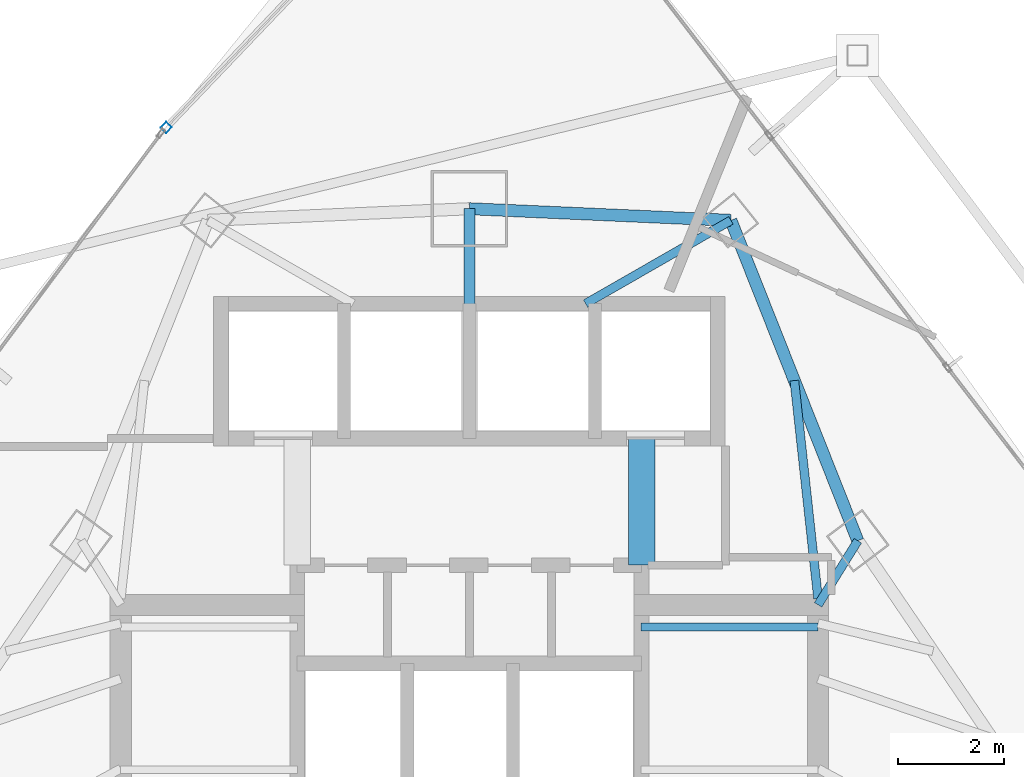
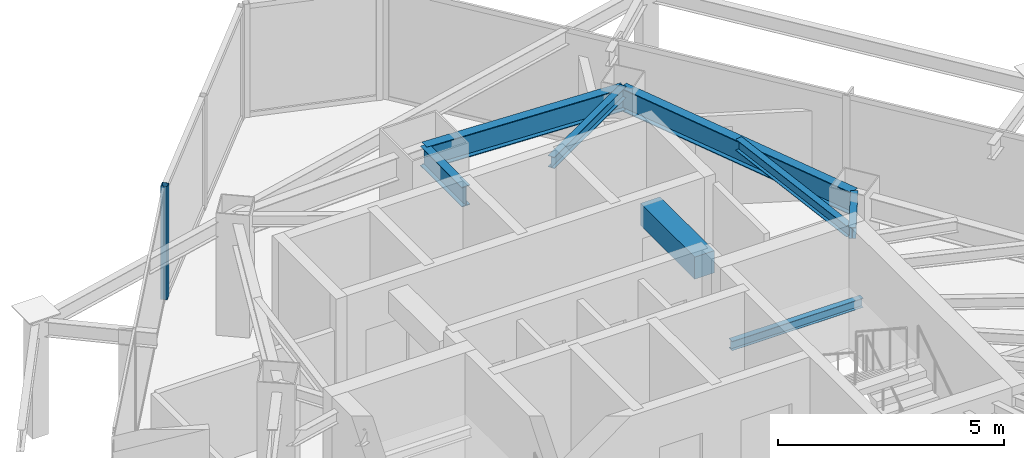
# One storey, part 21 of 31: 8 beams, 1 member, 1 element without a shape of its own.
"""IFC4 building model written with IfcOpenShell, lengths in metres."""

from ifc_helpers import new_model, si_unit, direction, frame, origin, origin_2d, place, context, subcontext, project, spatial, rectangle, hollow_rectangle, i_section, extrude, material, layer, layer_set, material_profile, profile_set, type_object, element, aggregate, save


model = new_model("IFC4")

# Units and contexts
model_context = context("Model", 3, precision=1e-05, world=origin(), true_north=direction((0.0, 1.0)))
body_context = subcontext(model_context, "Body", "Model", "MODEL_VIEW")
ifc_project = project(units=[si_unit("LENGTHUNIT", "METRE"), si_unit("AREAUNIT", "SQUARE_METRE"), si_unit("VOLUMEUNIT", "CUBIC_METRE"), si_unit("PLANEANGLEUNIT", "RADIAN"), si_unit("MASSUNIT", "GRAM", prefix="KILO")], contexts=[model_context])

# Site, building, storey
site_placement = place(None, origin())
site = spatial("IfcSite", under=ifc_project, at=site_placement, CompositionType="ELEMENT")
building_placement = place(site_placement, origin())
building = spatial("IfcBuilding", under=site, at=building_placement, Name="Orvanel Arch Residences", CompositionType="ELEMENT")
storey_placement = place(building_placement, frame((0.0, 0.0, 157.25)))
storey = spatial("IfcBuildingStorey", under=building, at=storey_placement, Name="L44", CompositionType="ELEMENT", Elevation=157.25)

# Beams
ifc_material_1 = material(Name="Structural steel AS/NZS 3679.1 Grade 300 (300 MPa)", Category="steel")
ifc_material_profile_1 = material_profile(ifc_material_1, i_section(OverallWidth=0.208984375, OverallDepth=0.532958984375, WebThickness=0.01025390625, FlangeThickness=0.015625, at=origin_2d()), Name="530UB92.4")
ifc_profile_set_1 = profile_set([ifc_material_profile_1], Name="Structural steel AS/NZS 3679.1 Grade 300 (300 MPa)")
beam_type_1 = type_object("IfcBeamType", Name="BG-530UB", PredefinedType="BEAM", material=ifc_profile_set_1)
beam_1_placement = place(storey_placement, frame((33.0, 39.550048828125, 2.79296875), z_axis=(0.0, 1.0, 0.0), x_axis=(-1.0, 0.0, 0.0)))
element("IfcBeam", 1, at=beam_1_placement, inside=storey, type_object=beam_type_1, Name="L44 North Radial Girder", PredefinedType="BEAM", context=body_context, shape_type="SweptSolid", body=[
    extrude(i_section(OverallWidth=0.208984375, OverallDepth=0.532958984375, WebThickness=0.01025390625, FlangeThickness=0.015625, at=origin_2d()), origin(), (0.0, 0.0, 1.0), 1.847900390625),
])
ifc_material_profile_2 = material_profile(ifc_material_1, i_section(OverallWidth=0.14599609375, OverallDepth=0.251953125, WebThickness=0.006103515625, FlangeThickness=0.008544921875, at=origin_2d()), Name="250UB31.4")
ifc_profile_set_2 = profile_set([ifc_material_profile_2], Name="Structural steel AS/NZS 3679.1 Grade 300 (300 MPa)")
beam_type_2 = type_object("IfcBeamType", Name="BJ-250UB", PredefinedType="JOIST", material=ifc_profile_set_2)
beam_2_placement = place(storey_placement, frame((36.25, 33.47998046875, 1.323974609375), z_axis=(1.0, 0.0, 0.0), x_axis=(0.0, 1.0, 0.0)))
element("IfcBeam", 2, at=beam_2_placement, inside=storey, type_object=beam_type_2, Name="L44 ST-2 Half-Landing Support Beam 1.2", PredefinedType="JOIST", context=body_context, shape_type="SweptSolid", body=[
    extrude(i_section(OverallWidth=0.14599609375, OverallDepth=0.251953125, WebThickness=0.006103515625, FlangeThickness=0.008544921875, at=origin_2d()), origin(), (0.0, 0.0, 1.0), 3.35009765625),
])
ifc_material_profile_3 = material_profile(ifc_material_1, i_section(OverallWidth=0.1650390625, OverallDepth=0.303955078125, WebThickness=0.006103515625, FlangeThickness=0.01025390625, at=origin_2d()), Name="310UB40.4")
ifc_profile_set_3 = profile_set([ifc_material_profile_3], Name="Structural steel AS/NZS 3679.1 Grade 300 (300 MPa)")
beam_type_3 = type_object("IfcBeamType", Name="BJ-310UB", PredefinedType="JOIST", material=ifc_profile_set_3)
beam_3_placement = place(storey_placement, frame((39.60009765625, 33.89990234375, 2.907958984375), z_axis=(0.526843290616, 0.84996243866, 0.0), x_axis=(-0.84996243866, 0.526843290616, 0.0)))
element("IfcBeam", 3, at=beam_3_placement, inside=storey, type_object=beam_type_3, Name="L44 NNE Wing Floor Joist", PredefinedType="JOIST", context=body_context, shape_type="SweptSolid", body=[
    extrude(i_section(OverallWidth=0.1650390625, OverallDepth=0.303955078125, WebThickness=0.006103515625, FlangeThickness=0.01025390625, at=origin_2d()), origin(), (0.0, 0.0, 1.0), 1.42724609375),
])
beam_4_placement = place(storey_placement, frame((39.60009765625, 34.02001953125, 2.907958984375), z_axis=(-0.108261441852, 0.99412245735, 0.0), x_axis=(-0.99412245735, -0.108261441852, 0.0)))
element("IfcBeam", 4, at=beam_4_placement, inside=storey, type_object=beam_type_3, Name="L44 NNE2 Wing Floor Joist", PredefinedType="JOIST", context=body_context, shape_type="SweptSolid", body=[
    extrude(i_section(OverallWidth=0.1650390625, OverallDepth=0.303955078125, WebThickness=0.006103515625, FlangeThickness=0.01025390625, at=origin_2d()), origin(), (0.0, 0.0, 1.0), 4.1494140625),
])
beam_5_placement = place(storey_placement, frame((35.199951171875, 39.60009765625, 2.907958984375), z_axis=(0.86736513383, 0.497672306458, 0.0), x_axis=(-0.497672306458, 0.86736513383, 0.0)))
element("IfcBeam", 5, at=beam_5_placement, inside=storey, type_object=beam_type_3, Name="L44 MNE Wing Floor Joist", PredefinedType="JOIST", context=body_context, shape_type="SweptSolid", body=[
    extrude(i_section(OverallWidth=0.1650390625, OverallDepth=0.303955078125, WebThickness=0.006103515625, FlangeThickness=0.01025390625, at=origin_2d()), origin(), (0.0, 0.0, 1.0), 3.17041015625),
])
ifc_material_2 = material(Name="Concrete S65 (65 MPa)", Category="concrete")
ifc_material_profile_4 = material_profile(ifc_material_2, rectangle(XDim=0.5, YDim=0.60009765625, at=origin_2d()), Name="RC500x600")
ifc_profile_set_4 = profile_set([ifc_material_profile_4], Name="Concrete S65 (65 MPa)")
beam_type_4 = type_object("IfcBeamType", Name="CB-500x600", PredefinedType="LINTEL", material=ifc_profile_set_4)
beam_6_placement = place(storey_placement, frame((36.260009765625, 34.64990234375, 2.760009765625), z_axis=(0.0, 1.0, 0.0), x_axis=(-1.0, 0.0, 0.0)))
element("IfcBeam", 6, at=beam_6_placement, inside=storey, type_object=beam_type_4, Name="L44 East Core Lobby Coupling Lintel Beam", PredefinedType="LINTEL", context=body_context, shape_type="SweptSolid", body=[
    extrude(rectangle(XDim=0.5, YDim=0.60009765625, at=origin_2d()), origin(), (0.0, 0.0, 1.0), 2.400146484375),
])

# Curtain wall, member
ifc_material_3 = material(Name="Bronze-anodised aluminium AA6063-T6", Category="aluminium")
ifc_layer = layer(ifc_material_3, 0.18994140625)
ifc_layer_set = layer_set([ifc_layer], Name="Bronze-anodised aluminium AA6063-T6")
curtain_wall_type = type_object("IfcCurtainWallType", Name="CW5-CRN-SYS", PredefinedType="NOTDEFINED", material=ifc_layer_set)
curtain_wall_placement = place(storey_placement, origin())
curtain_wall = element("IfcCurtainWall", 7, at=curtain_wall_placement, inside=storey, type_object=curtain_wall_type, Name="L44 CW5-CRN-SYS Unitised Curtain Wall", PredefinedType="NOTDEFINED")
ifc_material_profile_5 = material_profile(ifc_material_3, hollow_rectangle(XDim=0.14990234375, YDim=0.14990234375, WallThickness=0.0048828125, at=origin_2d()), Name="ALU150x150x5")
ifc_profile_set_5 = profile_set([ifc_material_profile_5], Name="Bronze-anodised aluminium AA6063-T6")
member_type = type_object("IfcMemberType", Name="MUL-150x150", PredefinedType="MULLION", material=ifc_profile_set_5)
member_placement = place(storey_placement, frame((27.259765625, 42.937255859375, 0.0), z_axis=(0.0, 0.0, 1.0), x_axis=(0.723045752642, -0.69080014446, 0.0)))
member = element("IfcMember", 8, at=member_placement, type_object=member_type, Name="CW-S5 mullion 3", PredefinedType="MULLION", context=body_context, shape_type="SweptSolid", body=[
    extrude(hollow_rectangle(XDim=0.14990234375, YDim=0.14990234375, WallThickness=0.0048828125, at=origin_2d()), origin(), (0.0, 0.0, 1.0), 3.06005859375),
])
aggregate(curtain_wall, [member])

# Beams
ifc_material_profile_6 = material_profile(ifc_material_1, i_section(OverallWidth=0.22900390625, OverallDepth=0.612060546875, WebThickness=0.011962890625, FlangeThickness=0.01953125, at=origin_2d()), Name="610UB125")
ifc_profile_set_6 = profile_set([ifc_material_profile_6], Name="Structural steel AS/NZS 3679.1 Grade 300 (300 MPa)")
beam_type_5 = type_object("IfcBeamType", Name="SP-610UB", PredefinedType="SPANDREL", material=ifc_profile_set_6)
beam_7_placement = place(storey_placement, frame((40.35205078125, 35.113037109375, 2.75390625), z_axis=(-0.368233143579, 0.929733484376, 0.0), x_axis=(-0.929733484376, -0.368233143579, 0.0)))
element("IfcBeam", 9, at=beam_7_placement, inside=storey, type_object=beam_type_5, Name="L44 Perimeter Spandrel Beam 13", PredefinedType="SPANDREL", context=body_context, shape_type="SweptSolid", body=[
    extrude(i_section(OverallWidth=0.22900390625, OverallDepth=0.612060546875, WebThickness=0.011962890625, FlangeThickness=0.01953125, at=origin_2d()), origin(), (0.0, 0.0, 1.0), 6.523193359375),
])
beam_8_placement = place(storey_placement, frame((37.949951171875, 41.177978515625, 2.75390625), z_axis=(-0.999014049296, 0.044395149614, 0.0), x_axis=(-0.044395149614, -0.999014049296, 0.0)))
element("IfcBeam", 10, at=beam_8_placement, inside=storey, type_object=beam_type_5, Name="L44 Perimeter Spandrel Beam 14", PredefinedType="SPANDREL", context=body_context, shape_type="SweptSolid", body=[
    extrude(i_section(OverallWidth=0.22900390625, OverallDepth=0.612060546875, WebThickness=0.011962890625, FlangeThickness=0.01953125, at=origin_2d()), origin(), (0.0, 0.0, 1.0), 4.954833984375),
])

save(model, "model.ifc")
